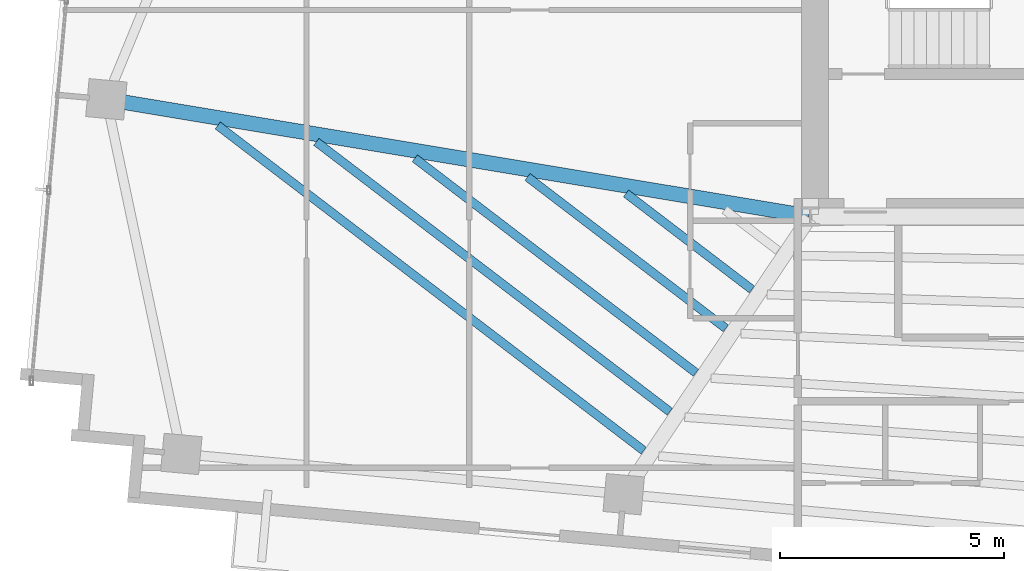
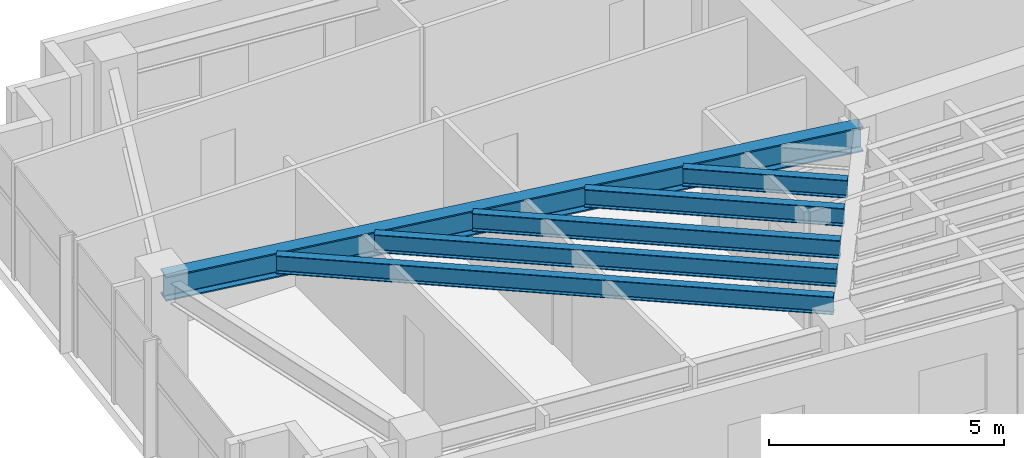
# One storey, part 5 of 22: 6 beams.
"""IFC4 building model written with IfcOpenShell, lengths in metres."""

from ifc_helpers import new_model, si_unit, direction, frame, origin, origin_2d, place, context, subcontext, project, spatial, i_section, extrude, source, transform, mapped, material, material_profile, profile_set, type_object, type_shapes, element, save


model = new_model("IFC4")

# Units and contexts
model_context = context("Model", 3, precision=1e-05, world=origin(), true_north=direction((0.0, 1.0)))
body_context = subcontext(model_context, "Body", "Model", "MODEL_VIEW")
ifc_project = project(units=[si_unit("LENGTHUNIT", "METRE"), si_unit("AREAUNIT", "SQUARE_METRE"), si_unit("VOLUMEUNIT", "CUBIC_METRE"), si_unit("PLANEANGLEUNIT", "RADIAN"), si_unit("MASSUNIT", "GRAM", prefix="KILO")], contexts=[model_context])

# Site, building, storey
site_placement = place(None, origin())
site = spatial("IfcSite", under=ifc_project, at=site_placement, CompositionType="ELEMENT")
building_placement = place(site_placement, origin())
building = spatial("IfcBuilding", under=site, at=building_placement, Name="Astriad Promenade Condominiums", CompositionType="ELEMENT")
storey_placement = place(building_placement, frame((0.0, 0.0, 233.10009765625)))
storey = spatial("IfcBuildingStorey", under=building, at=storey_placement, Name="L67", CompositionType="ELEMENT", Elevation=233.10009765625)

# Beams
ifc_material = material(Name="Steel ASTM A992 Grade 50", Category="steel")
ifc_material_profile_1 = material_profile(ifc_material, i_section(OverallWidth=0.327392578125, OverallDepth=0.640625, WebThickness=0.01904296875, FlangeThickness=0.033935546875, FilletRadius=0.017822265625, at=origin_2d()), Name="W24X176")
ifc_profile_set_1 = profile_set([ifc_material_profile_1], Name="Steel ASTM A992 Grade 50")
beam_type_1 = type_object("IfcBeamType", Name="STEEL FLOOR GIRDER W24X176", PredefinedType="BEAM", material=ifc_profile_set_1)
shared_shape_1 = source(origin(), body_context, "Body", "SweptSolid", [
    extrude(i_section(OverallWidth=0.327392578125, OverallDepth=0.640625, WebThickness=0.01904296875, FlangeThickness=0.033935546875, FilletRadius=0.017822265625, at=origin_2d()), origin(), (0.0, 0.0, 1.0), 15.824462890625),
])
type_shapes(beam_type_1, [shared_shape_1])
beam_1_placement = place(storey_placement, frame((10.750732421875, 20.003662109375, 2.719482421875), z_axis=(0.986439752668, -0.164123777548, 0.0), x_axis=(0.164123777548, 0.986439752668, 0.0)))
element("IfcBeam", 1, at=beam_1_placement, inside=storey, type_object=beam_type_1, Name="Primary Floor Girder PG-WM-L67", PredefinedType="BEAM", context=body_context, shape_type="MappedRepresentation", body=[
    mapped(shared_shape_1, transform((0.0, 0.0, 0.0), scale=1.0)),
])
ifc_material_profile_2 = material_profile(ifc_material, i_section(OverallWidth=0.19287109375, OverallDepth=0.466064453125, WebThickness=0.011474609375, FlangeThickness=0.01904296875, FilletRadius=0.01513671875, at=origin_2d()), Name="W18X65")
ifc_profile_set_2 = profile_set([ifc_material_profile_2], Name="Steel ASTM A992 Grade 50")
beam_type_2 = type_object("IfcBeamType", Name="STEEL FLOOR JOIST W18X65", PredefinedType="JOIST", material=ifc_profile_set_2)
shared_shape_2 = source(origin(), body_context, "Body", "SweptSolid", [
    extrude(i_section(OverallWidth=0.19287109375, OverallDepth=0.466064453125, WebThickness=0.011474609375, FlangeThickness=0.01904296875, FilletRadius=0.01513671875, at=origin_2d()), origin(), (0.0, 0.0, 1.0), 11.941162109375),
])
beam_2_placement = place(storey_placement, frame((13.193603515625, 19.426513671875, 2.806884765625), z_axis=(0.794872876153, -0.606775997182, 0.0), x_axis=(0.606775997182, 0.794872876153, 0.0)))
element("IfcBeam", 2, at=beam_2_placement, inside=storey, type_object=beam_type_2, Name="Secondary Composite Floor Joist JW1-1-L67", PredefinedType="JOIST", context=body_context, shape_type="MappedRepresentation", body=[
    mapped(shared_shape_2, transform((0.0, 0.0, 0.0), scale=1.0)),
])
shared_shape_3 = source(origin(), body_context, "Body", "SweptSolid", [
    extrude(i_section(OverallWidth=0.19287109375, OverallDepth=0.466064453125, WebThickness=0.011474609375, FlangeThickness=0.01904296875, FilletRadius=0.01513671875, at=origin_2d()), origin(), (0.0, 0.0, 1.0), 9.91015625),
])
beam_3_placement = place(storey_placement, frame((15.39013671875, 19.06103515625, 2.806884765625), z_axis=(0.794880580107, -0.606765904916, 0.0), x_axis=(0.606765904916, 0.794880580107, 0.0)))
element("IfcBeam", 3, at=beam_3_placement, inside=storey, type_object=beam_type_2, Name="Secondary Composite Floor Joist JW1-2-L67", PredefinedType="JOIST", context=body_context, shape_type="MappedRepresentation", body=[
    mapped(shared_shape_3, transform((0.0, 0.0, 0.0), scale=1.0)),
])
shared_shape_4 = source(origin(), body_context, "Body", "SweptSolid", [
    extrude(i_section(OverallWidth=0.19287109375, OverallDepth=0.466064453125, WebThickness=0.011474609375, FlangeThickness=0.01904296875, FilletRadius=0.01513671875, at=origin_2d()), origin(), (0.0, 0.0, 1.0), 7.8798828125),
])
beam_4_placement = place(storey_placement, frame((17.58642578125, 18.69580078125, 2.806884765625), z_axis=(0.794873774806, -0.60677481995, 0.0), x_axis=(0.60677481995, 0.794873774806, 0.0)))
element("IfcBeam", 4, at=beam_4_placement, inside=storey, type_object=beam_type_2, Name="Secondary Composite Floor Joist JW1-3-L67", PredefinedType="JOIST", context=body_context, shape_type="MappedRepresentation", body=[
    mapped(shared_shape_4, transform((0.0, 0.0, 0.0), scale=1.0)),
])
shared_shape_5 = source(origin(), body_context, "Body", "SweptSolid", [
    extrude(i_section(OverallWidth=0.19287109375, OverallDepth=0.466064453125, WebThickness=0.011474609375, FlangeThickness=0.01904296875, FilletRadius=0.01513671875, at=origin_2d()), origin(), (0.0, 0.0, 1.0), 5.55908203125),
])
beam_5_placement = place(storey_placement, frame((20.0966796875, 18.278076171875, 2.806884765625), z_axis=(0.794874877878, -0.606773374925, 0.0), x_axis=(0.606773374925, 0.794874877878, 0.0)))
element("IfcBeam", 5, at=beam_5_placement, inside=storey, type_object=beam_type_2, Name="Secondary Composite Floor Joist JW1-4-L67", PredefinedType="JOIST", context=body_context, shape_type="MappedRepresentation", body=[
    mapped(shared_shape_5, transform((0.0, 0.0, 0.0), scale=1.0)),
])
shared_shape_6 = source(origin(), body_context, "Body", "SweptSolid", [
    extrude(i_section(OverallWidth=0.19287109375, OverallDepth=0.466064453125, WebThickness=0.011474609375, FlangeThickness=0.01904296875, FilletRadius=0.01513671875, at=origin_2d()), origin(), (0.0, 0.0, 1.0), 3.5283203125),
])
type_shapes(beam_type_2, [shared_shape_2, shared_shape_3, shared_shape_4, shared_shape_5, shared_shape_6])
beam_6_placement = place(storey_placement, frame((22.293212890625, 17.91259765625, 2.806884765625), z_axis=(0.794864295135, -0.606787238099, 0.0), x_axis=(0.606787238099, 0.794864295135, 0.0)))
element("IfcBeam", 6, at=beam_6_placement, inside=storey, type_object=beam_type_2, Name="Secondary Composite Floor Joist JW1-5-L67", PredefinedType="JOIST", context=body_context, shape_type="MappedRepresentation", body=[
    mapped(shared_shape_6, transform((0.0, 0.0, 0.0), scale=1.0)),
])

save(model, "model.ifc")
